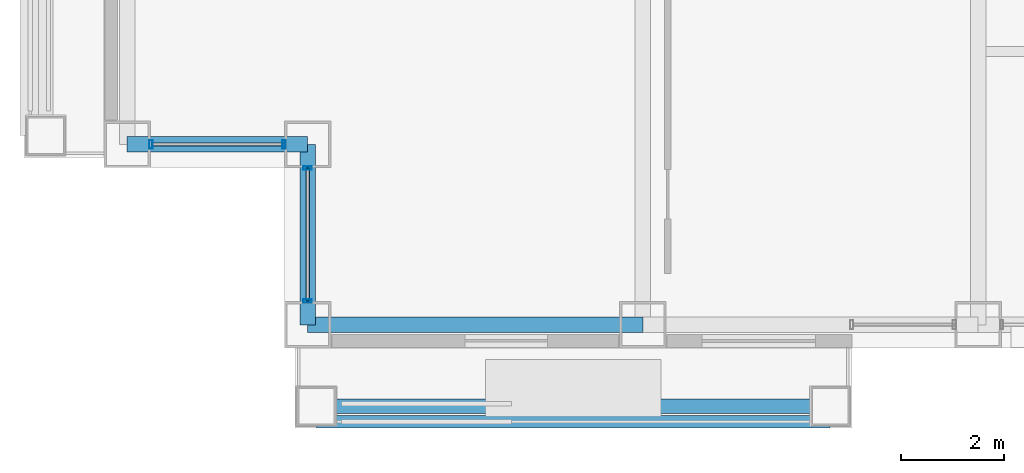
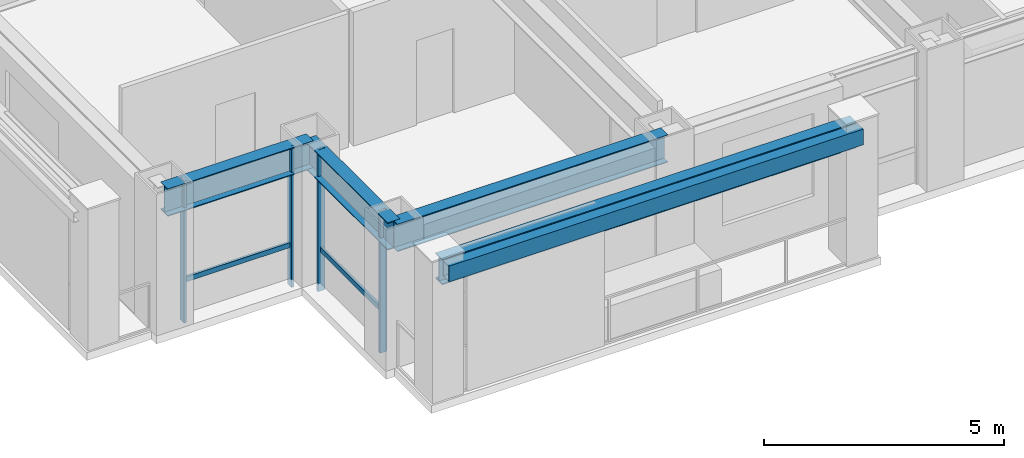
# One storey, part 2 of 30: 7 members, 4 beams, 2 elements without a shape of their own.
"""IFC4 building model written with IfcOpenShell, lengths in metres."""

import ifcopenshell
import ifcopenshell.guid

model = None  # the IFC model being written
_history = None  # IfcOwnerHistory: only IFC2X3 demands one
_inside = {}  # id of a spatial element -> (the spatial element, [elements in it])
_under = {}  # id of a project, library or spatial element -> (it, [spatial elements below it])
_declared = {}  # id of a project -> (the project, [libraries it declares])
_typed = {}  # id of a type object -> (the type object, [elements of that type])
_made_of = {}  # id of a material, layer set ... -> (it, [elements and type objects made of it])


def new_model(schema):
    """Start an empty IFC model of exactly this schema.

    Asked for "IFC4X3", IfcOpenShell would pick the latest addendum, in which some entities
    have other attributes; the version numbers below select the first issue.
    IFC2X3 requires an IfcOwnerHistory on every rooted entity: one is made here for all.
    """
    global model, _history
    if schema == "IFC4X3":
        model = ifcopenshell.file(schema_version=(4, 3, 0, 0))
    else:
        model = ifcopenshell.file(schema=schema)
    _inside.clear()
    _under.clear()
    _declared.clear()
    _typed.clear()
    _made_of.clear()
    _history = None
    if model.schema == "IFC2X3":
        org = make("IfcOrganization", Name="unknown")
        user = make(
            "IfcPersonAndOrganization",
            ThePerson=make("IfcPerson", FamilyName="unknown"),
            TheOrganization=org,
        )
        app = make(
            "IfcApplication",
            ApplicationDeveloper=org,
            Version="unknown",
            ApplicationFullName="unknown",
            ApplicationIdentifier="unknown",
        )
        _history = make(
            "IfcOwnerHistory",
            OwningUser=user,
            OwningApplication=app,
            ChangeAction="ADDED",
            CreationDate=0,
        )
    return model


def make(cls, **values):
    """One entity of the class cls with the attributes given. An attribute that is None is left unset."""
    return model.create_entity(
        cls, **{name: value for name, value in values.items() if value is not None}
    )


def rooted(cls, **values):
    """An entity with a GlobalId (a new one), such as an element, a storey or a relation."""
    return make(cls, GlobalId=ifcopenshell.guid.new(), OwnerHistory=_history, **values)


def si_unit(unit_type, name, prefix=None):
    """IfcSIUnit, for example si_unit("LENGTHUNIT", "METRE", prefix="MILLI")."""
    return make("IfcSIUnit", UnitType=unit_type, Prefix=prefix, Name=name)


def assignment(units):
    """IfcUnitAssignment: the units of a project."""
    return None if units is None else make("IfcUnitAssignment", Units=units)


def point(xyz):
    """IfcCartesianPoint."""
    return None if xyz is None else make("IfcCartesianPoint", Coordinates=xyz)


def direction(xyz):
    """IfcDirection."""
    return None if xyz is None else make("IfcDirection", DirectionRatios=xyz)


def frame(location, z_axis=None, x_axis=None):
    """IfcAxis2Placement3D, a coordinate frame: its origin and axes. An axis left out is left unset."""
    return make(
        "IfcAxis2Placement3D",
        Location=point(location),
        Axis=direction(z_axis),
        RefDirection=direction(x_axis),
    )


def frame_2d(location, x_axis=None):
    """IfcAxis2Placement2D, a coordinate frame in the plane: its origin and x axis."""
    return make(
        "IfcAxis2Placement2D", Location=point(location), RefDirection=direction(x_axis)
    )


def origin():
    """The frame at (0, 0, 0) with its axes left unset."""
    return frame((0.0, 0.0, 0.0))


def origin_2d():
    """The frame at (0, 0) in the plane with its x axis left unset."""
    return frame_2d((0.0, 0.0))


def place(relative_to, where):
    """IfcLocalPlacement: puts the frame where relative to a parent placement (None: the world)."""
    return make(
        "IfcLocalPlacement", PlacementRelTo=relative_to, RelativePlacement=where
    )


def context(
    kind, dimensions, precision=None, world=None, true_north=None, identifier=None
):
    """IfcGeometricRepresentationContext, for example the 3D "Model" context."""
    return make(
        "IfcGeometricRepresentationContext",
        ContextIdentifier=identifier,
        ContextType=kind,
        CoordinateSpaceDimension=dimensions,
        Precision=precision,
        WorldCoordinateSystem=world,
        TrueNorth=true_north,
    )


def subcontext(parent, identifier, kind, view, scale=None):
    """IfcGeometricRepresentationSubContext, for example "Body" below "Model"."""
    return make(
        "IfcGeometricRepresentationSubContext",
        ContextIdentifier=identifier,
        ContextType=kind,
        ParentContext=parent,
        TargetScale=scale,
        TargetView=view,
    )


def project(units=None, contexts=None):
    """IfcProject with its units and contexts."""
    return rooted(
        "IfcProject",
        Name="project",
        RepresentationContexts=contexts,
        UnitsInContext=assignment(units),
    )


def spatial(cls, under=None, at=None, **own):
    """A site, building, storey or space (cls), placed at a placement, below another one or the project."""
    s = rooted(cls, ObjectPlacement=at, **own)
    if under is not None:
        _under.setdefault(under.id(), (under, []))[1].append(s)
    return s


def profile(cls, at=None, kind="AREA", **sizes):
    """A parametric profile (cls). Its sizes go by their IFC names, for example OverallWidth=200.0."""
    return make(cls, ProfileType=kind, Position=at, **sizes)


def hollow_rectangle(**sizes):
    """IfcRectangleHollowProfileDef."""
    return profile("IfcRectangleHollowProfileDef", **sizes)


def i_section(**sizes):
    """IfcIShapeProfileDef."""
    return profile("IfcIShapeProfileDef", **sizes)


def extrude(swept, where, along, depth):
    """IfcExtrudedAreaSolid: the profile swept, set in the frame where, extruded along a direction by depth."""
    return make(
        "IfcExtrudedAreaSolid",
        SweptArea=swept,
        Position=where,
        ExtrudedDirection=direction(along),
        Depth=depth,
    )


def shape(context_of_items, identifier, shape_type, items):
    """IfcShapeRepresentation: the items that make up one representation, for example the "Body"."""
    return make(
        "IfcShapeRepresentation",
        ContextOfItems=context_of_items,
        RepresentationIdentifier=identifier,
        RepresentationType=shape_type,
        Items=items,
    )


def material(Name=None, Category=None):
    """IfcMaterial."""
    return make("IfcMaterial", Name=Name, Category=Category)


def layer(
    of_material, thickness, ventilated=None, Name=None, Category=None, Priority=None
):
    """IfcMaterialLayer: one layer of a wall or slab, of a material (None: an air gap)."""
    return make(
        "IfcMaterialLayer",
        Material=of_material,
        LayerThickness=thickness,
        IsVentilated=ventilated,
        Name=Name,
        Category=Category,
        Priority=Priority,
    )


def layer_set(layers, Name=None):
    """IfcMaterialLayerSet."""
    return make("IfcMaterialLayerSet", MaterialLayers=layers, LayerSetName=Name)


def material_profile(
    of_material, cross_section, Name=None, Category=None, Priority=None
):
    """IfcMaterialProfile: a cross section and its material."""
    return make(
        "IfcMaterialProfile",
        Name=Name,
        Material=of_material,
        Profile=cross_section,
        Priority=Priority,
        Category=Category,
    )


def profile_set(profiles, Name=None, composite=None):
    """IfcMaterialProfileSet."""
    return make(
        "IfcMaterialProfileSet",
        Name=Name,
        MaterialProfiles=profiles,
        CompositeProfile=composite,
    )


def made_of(thing, what):
    """Note that an element or type object is made of a material, layer set ...; save() writes the relation."""
    if what is not None:
        _made_of.setdefault(what.id(), (what, []))[1].append(thing)
    return thing


def type_object(cls, material=None, **own):
    """A type object (cls), such as IfcWallType, which elements share."""
    return made_of(rooted(cls, **own), material)


def element(
    cls,
    number,
    at=None,
    inside=None,
    cuts=None,
    type_object=None,
    material=None,
    context=None,
    identifier="Body",
    shape_type=None,
    held_by="IfcProductDefinitionShape",
    body=None,
    shapes=None,
    **own,
):
    """One element of the class cls, such as IfcWall. Its Tag is "e" and its number.

    at: its placement. inside: the storey or other place that contains it. cuts: it is an
    opening in that element (IfcRelVoidsElement). A single representation is given by context,
    identifier, shape_type and body (its items); several are given by shapes. held_by: the class
    of the entity that holds the representations. save() writes the other relations.
    """
    e = rooted(cls, Tag="e%d" % number, ObjectPlacement=at, **own)
    if body is not None:
        shapes = [shape(context, identifier, shape_type, body)]
    if shapes is not None:
        e.Representation = make(held_by, Representations=shapes)
    if inside is not None:
        _inside.setdefault(inside.id(), (inside, []))[1].append(e)
    if cuts is not None:
        rooted(
            "IfcRelVoidsElement", RelatingBuildingElement=cuts, RelatedOpeningElement=e
        )
    if type_object is not None:
        _typed.setdefault(type_object.id(), (type_object, []))[1].append(e)
    return made_of(e, material)


def aggregate(whole, parts):
    """IfcRelAggregates: a whole, such as a stair, and the parts it consists of."""
    return rooted("IfcRelAggregates", RelatingObject=whole, RelatedObjects=parts)


def save(model, path):
    """Write the relations noted so far, then the file.

    IfcRelAggregates (storeys below a building ...), IfcRelContainedInSpatialStructure (elements
    in a storey), IfcRelDefinesByType, IfcRelAssociatesMaterial and IfcRelDeclares: one each for
    every whole, place, type object, material and project.
    """
    for whole, parts in _under.values():
        aggregate(whole, parts)
    for where, things in _inside.values():
        rooted(
            "IfcRelContainedInSpatialStructure",
            RelatedElements=things,
            RelatingStructure=where,
        )
    for kind, things in _typed.values():
        rooted("IfcRelDefinesByType", RelatedObjects=things, RelatingType=kind)
    for what, things in _made_of.values():
        rooted("IfcRelAssociatesMaterial", RelatedObjects=things, RelatingMaterial=what)
    for by, libraries in _declared.values():
        rooted("IfcRelDeclares", RelatingContext=by, RelatedDefinitions=libraries)
    model.write(path)


model = new_model("IFC4")

# Units and contexts
model_context = context("Model", 3, precision=1e-05, world=origin(), true_north=direction((0.0, 1.0)))
body_context = subcontext(model_context, "Body", "Model", "MODEL_VIEW")
ifc_project = project(units=[si_unit("LENGTHUNIT", "METRE"), si_unit("AREAUNIT", "SQUARE_METRE"), si_unit("VOLUMEUNIT", "CUBIC_METRE"), si_unit("PLANEANGLEUNIT", "RADIAN"), si_unit("MASSUNIT", "GRAM", prefix="KILO")], contexts=[model_context])

# Site, building, storey
site_placement = place(None, origin())
site = spatial("IfcSite", under=ifc_project, at=site_placement, CompositionType="ELEMENT")
building_placement = place(site_placement, origin())
building = spatial("IfcBuilding", under=site, at=building_placement, Name="Brelmoor Portico Tower", CompositionType="ELEMENT")
storey_placement = place(building_placement, frame((0.0, 0.0, 74.39990234375)))
storey = spatial("IfcBuildingStorey", under=building, at=storey_placement, Name="L19", CompositionType="ELEMENT", Elevation=74.39990234375)

# Beams
ifc_material_1 = material(Name="Steel Q355B", Category="steel")
ifc_material_profile_1 = material_profile(ifc_material_1, i_section(OverallWidth=0.280029296875, OverallDepth=0.64990234375, WebThickness=0.012939453125, FlangeThickness=0.02197265625, at=origin_2d()), Name="HN 650x280x13x22")
ifc_profile_set_1 = profile_set([ifc_material_profile_1], Name="Steel Q355B")
beam_type_1 = type_object("IfcBeamType", Name="BM-SP-650", PredefinedType="SPANDREL", material=ifc_profile_set_1)
beam_1_placement = place(storey_placement, frame((-20.8798828125, -23.1298828125, 3.0751953125), z_axis=(1.0, 0.0, 0.0), x_axis=(0.0, 1.0, 0.0)))
element("IfcBeam", 1, at=beam_1_placement, inside=storey, type_object=beam_type_1, Name="L19 Picture-Frame Perimeter Lintel Beam S1", PredefinedType="SPANDREL", context=body_context, shape_type="SweptSolid", body=[
    extrude(i_section(OverallWidth=0.280029296875, OverallDepth=0.64990234375, WebThickness=0.012939453125, FlangeThickness=0.02197265625, at=origin_2d()), origin(), (0.0, 0.0, 1.0), 9.9599609375),
])
ifc_material_profile_2 = material_profile(ifc_material_1, i_section(OverallWidth=0.300048828125, OverallDepth=0.699951171875, WebThickness=0.012939453125, FlangeThickness=0.02392578125, at=origin_2d()), Name="HN 700x300x13x24")
ifc_profile_set_2 = profile_set([ifc_material_profile_2], Name="Steel Q355B")
beam_type_2 = type_object("IfcBeamType", Name="BM-SP-700", PredefinedType="SPANDREL", material=ifc_profile_set_2)
beam_2_placement = place(storey_placement, frame((-21.050048828125, -21.550048828125, 3.050048828125), z_axis=(1.0, 0.0, 0.0), x_axis=(0.0, 1.0, 0.0)))
element("IfcBeam", 2, at=beam_2_placement, inside=storey, type_object=beam_type_2, Name="L19 Perimeter Spandrel Beam SP-01", PredefinedType="SPANDREL", context=body_context, shape_type="SweptSolid", body=[
    extrude(i_section(OverallWidth=0.300048828125, OverallDepth=0.699951171875, WebThickness=0.012939453125, FlangeThickness=0.02392578125, at=origin_2d()), origin(), (0.0, 0.0, 1.0), 6.5),
])
for number, where, z_axis, x_axis, name in (
    (3, (-24.550048828125, -18.050048828125, 3.050048828125), (1.0, 0.0, 0.0), (0.0, 1.0, 0.0), "L19 Perimeter Spandrel Beam SP-06"),
    (4, (-21.050048828125, -21.550048828125, 3.050048828125), (0.0, 1.0, 0.0), (-1.0, 0.0, 0.0), "L19 Perimeter Spandrel Beam SP-18"),
):
    element("IfcBeam", number, at=place(storey_placement, frame(where, z_axis=z_axis, x_axis=x_axis)), inside=storey, type_object=beam_type_2, Name=name, PredefinedType="SPANDREL", context=body_context, shape_type="SweptSolid", body=[
        extrude(i_section(OverallWidth=0.300048828125, OverallDepth=0.699951171875, WebThickness=0.012939453125, FlangeThickness=0.02392578125, at=origin_2d()), origin(), (0.0, 0.0, 1.0), 3.5),
    ])

# Curtain wall, members
ifc_material_2 = material(Name="Anodised Aluminium Alloy 6063-T6", Category="aluminium")
ifc_layer = layer(ifc_material_2, 0.179931640625)
ifc_layer_set = layer_set([ifc_layer], Name="Anodised Aluminium Alloy 6063-T6")
curtain_wall_type = type_object("IfcCurtainWallType", Name="CW-NOTCH-CHAMFER", PredefinedType="NOTDEFINED", material=ifc_layer_set)
curtain_wall_1_placement = place(storey_placement, origin())
curtain_wall_1 = element("IfcCurtainWall", 5, at=curtain_wall_1_placement, inside=storey, type_object=curtain_wall_type, Name="L19 Curtain Wall CWN-L19-SWH", PredefinedType="NOTDEFINED")
ifc_material_profile_3 = material_profile(ifc_material_2, hollow_rectangle(XDim=0.06494140625, YDim=0.1650390625, WallThickness=0.00390625, at=origin_2d()), Name="ALU MULLION 65x165")
ifc_profile_set_3 = profile_set([ifc_material_profile_3], Name="Anodised Aluminium Alloy 6063-T6")
member_type_1 = type_object("IfcMemberType", Name="MB-CW-MULL-165", PredefinedType="MULLION", material=ifc_profile_set_3)
member_1_placement = place(storey_placement, frame((-24.090087890625, -18.050048828125, -0.199951171875), z_axis=(0.0, 0.0, 1.0), x_axis=(1.0, 0.0, 0.0)))
member_1 = element("IfcMember", 6, at=member_1_placement, type_object=member_type_1, Name="CWN-L19-SWH Mullion 00", PredefinedType="MULLION", context=body_context, shape_type="SweptSolid", body=[
    extrude(hollow_rectangle(XDim=0.06494140625, YDim=0.1650390625, WallThickness=0.00390625, at=origin_2d()), origin(), (0.0, 0.0, 1.0), 3.60009765625),
])
member_2_placement = place(storey_placement, frame((-21.510009765625, -18.050048828125, -0.199951171875), z_axis=(0.0, 0.0, 1.0), x_axis=(1.0, 0.0, 0.0)))
member_2 = element("IfcMember", 7, at=member_2_placement, type_object=member_type_1, Name="CWN-L19-SWH Mullion 01", PredefinedType="MULLION", context=body_context, shape_type="SweptSolid", body=[
    extrude(hollow_rectangle(XDim=0.06494140625, YDim=0.1650390625, WallThickness=0.00390625, at=origin_2d()), origin(), (0.0, 0.0, 1.0), 3.60009765625),
])

curtain_wall_2_placement = place(storey_placement, origin())
curtain_wall_2 = element("IfcCurtainWall", 8, at=curtain_wall_2_placement, inside=storey, type_object=curtain_wall_type, Name="L19 Curtain Wall CWN-L19-SWV", PredefinedType="NOTDEFINED")
member_3_placement = place(storey_placement, frame((-21.050048828125, -21.090087890625, -0.199951171875), z_axis=(0.0, 0.0, 1.0), x_axis=(0.0, 1.0, 0.0)))
member_3 = element("IfcMember", 9, at=member_3_placement, type_object=member_type_1, Name="CWN-L19-SWV Mullion 00", PredefinedType="MULLION", context=body_context, shape_type="SweptSolid", body=[
    extrude(hollow_rectangle(XDim=0.06494140625, YDim=0.1650390625, WallThickness=0.00390625, at=origin_2d()), origin(), (0.0, 0.0, 1.0), 3.60009765625),
])
member_4_placement = place(storey_placement, frame((-21.050048828125, -18.510009765625, -0.199951171875), z_axis=(0.0, 0.0, 1.0), x_axis=(0.0, 1.0, 0.0)))
member_4 = element("IfcMember", 10, at=member_4_placement, type_object=member_type_1, Name="CWN-L19-SWV Mullion 01", PredefinedType="MULLION", context=body_context, shape_type="SweptSolid", body=[
    extrude(hollow_rectangle(XDim=0.06494140625, YDim=0.1650390625, WallThickness=0.00390625, at=origin_2d()), origin(), (0.0, 0.0, 1.0), 3.60009765625),
])

# Member
ifc_material_profile_4 = material_profile(ifc_material_2, hollow_rectangle(XDim=0.06005859375, YDim=0.125, WallThickness=0.00341796875, at=origin_2d()), Name="ALU TRANSOM 60x125")
ifc_profile_set_4 = profile_set([ifc_material_profile_4], Name="Anodised Aluminium Alloy 6063-T6")
member_type_2 = type_object("IfcMemberType", Name="MB-CW-TRAN-125", PredefinedType="USERDEFINED", material=ifc_profile_set_4)
member_5_placement = place(storey_placement, frame((-24.090087890625, -18.050048828125, 0.85009765625), z_axis=(1.0, 0.0, 0.0), x_axis=(0.0, 1.0, 0.0)))
member_5 = element("IfcMember", 11, at=member_5_placement, type_object=member_type_2, Name="CWN-L19-SWH Transom 1-00", ObjectType="TRANSOM", PredefinedType="USERDEFINED", context=body_context, shape_type="SweptSolid", body=[
    extrude(hollow_rectangle(XDim=0.06005859375, YDim=0.125, WallThickness=0.00341796875, at=origin_2d()), origin(), (0.0, 0.0, 1.0), 2.580078125),
])

aggregate(curtain_wall_1, [member_1, member_2, member_5])

member_6_placement = place(storey_placement, frame((-21.050048828125, -21.090087890625, 0.85009765625), z_axis=(0.0, 1.0, 0.0), x_axis=(-1.0, 0.0, 0.0)))
member_6 = element("IfcMember", 12, at=member_6_placement, type_object=member_type_2, Name="CWN-L19-SWV Transom 1-00", ObjectType="TRANSOM", PredefinedType="USERDEFINED", context=body_context, shape_type="SweptSolid", body=[
    extrude(hollow_rectangle(XDim=0.06005859375, YDim=0.125, WallThickness=0.00341796875, at=origin_2d()), origin(), (0.0, 0.0, 1.0), 2.580078125),
])

aggregate(curtain_wall_2, [member_3, member_4, member_6])

ifc_material_3 = material(Name="Pale Champagne Fluoropolymer-Coated Steel Q355B", Category="steel")
ifc_material_profile_5 = material_profile(ifc_material_3, hollow_rectangle(XDim=0.25, YDim=0.39990234375, WallThickness=0.013916015625, at=origin_2d()), Name="RHS 250x400x14")
ifc_profile_set_5 = profile_set([ifc_material_profile_5], Name="Pale Champagne Fluoropolymer-Coated Steel Q355B")
member_type_3 = type_object("IfcMemberType", Name="MB-PF-HEADER", PredefinedType="MEMBER", material=ifc_profile_set_5)
member_7_placement = place(storey_placement, frame((-20.8798828125, -23.429931640625, 3.2001953125), z_axis=(1.0, 0.0, 0.0), x_axis=(0.0, 1.0, 0.0)))
element("IfcMember", 13, at=member_7_placement, inside=storey, type_object=member_type_3, Name="L19 Picture-Frame Header S", PredefinedType="MEMBER", context=body_context, shape_type="SweptSolid", body=[
    extrude(hollow_rectangle(XDim=0.25, YDim=0.39990234375, WallThickness=0.013916015625, at=origin_2d()), origin(), (0.0, 0.0, 1.0), 9.9599609375),
])

save(model, "model.ifc")
